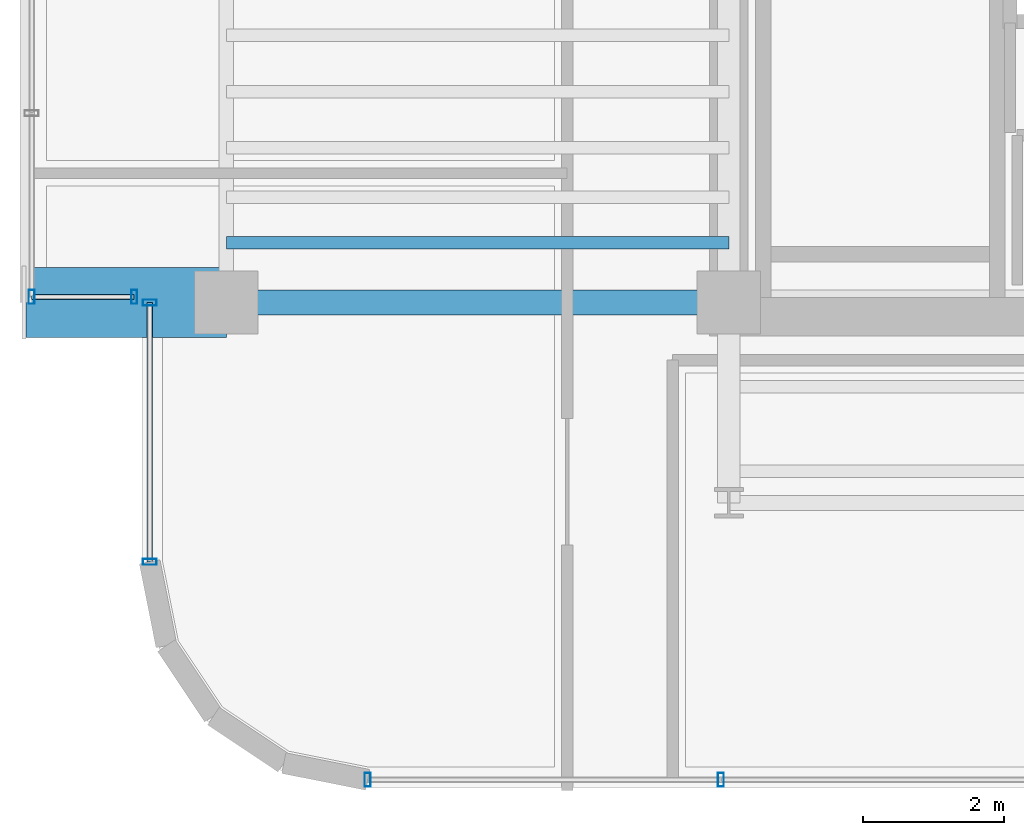
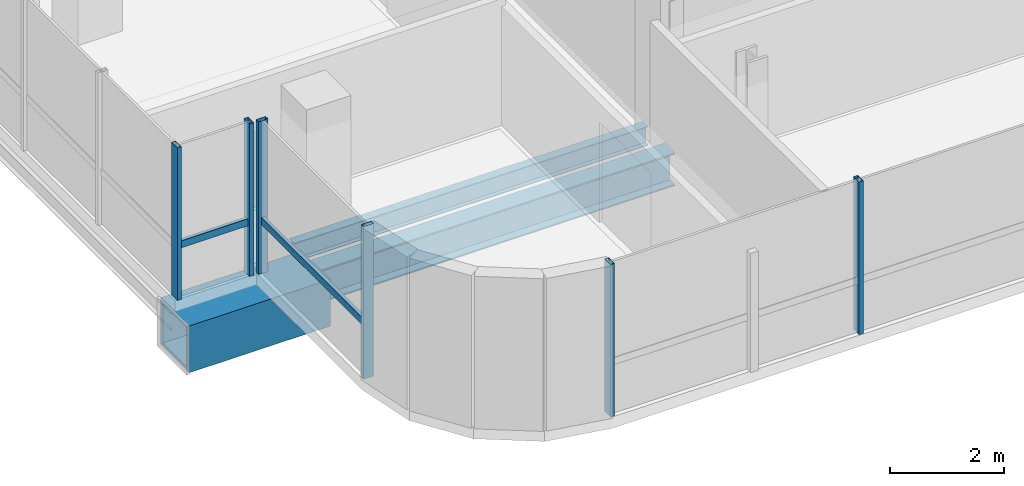
# One storey, part 2 of 22: 8 members, 3 beams, 3 elements without a shape of their own.
"""IFC4 building model written with IfcOpenShell, lengths in metres."""

from ifc_helpers import new_model, si_unit, direction, frame, origin, origin_2d, place, context, subcontext, project, spatial, hollow_rectangle, i_section, extrude, source, transform, mapped, material, material_profile, profile_set, type_object, element, aggregate, save


model = new_model("IFC4")

# Units and contexts
model_context = context("Model", 3, precision=1e-05, world=origin(), true_north=direction((0.0, 1.0)))
body_context = subcontext(model_context, "Body", "Model", "MODEL_VIEW")
ifc_project = project(units=[si_unit("LENGTHUNIT", "METRE"), si_unit("AREAUNIT", "SQUARE_METRE"), si_unit("VOLUMEUNIT", "CUBIC_METRE"), si_unit("PLANEANGLEUNIT", "RADIAN"), si_unit("MASSUNIT", "GRAM", prefix="KILO")], contexts=[model_context])

# Site, building, storey
site_placement = place(None, origin())
site = spatial("IfcSite", under=ifc_project, at=site_placement, CompositionType="ELEMENT")
building_placement = place(site_placement, origin())
building = spatial("IfcBuilding", under=site, at=building_placement, Name="Valdorenza Pilgrim Sanctuary Tower", CompositionType="ELEMENT")
storey_placement = place(building_placement, frame((0.0, 0.0, 233.5)))
storey = spatial("IfcBuildingStorey", under=building, at=storey_placement, Name="L60", CompositionType="ELEMENT", Elevation=233.5)

# Beams
ifc_material_1 = material(Name="Steel ASTM A572 Grade 42", Category="steel")
ifc_material_profile_1 = material_profile(ifc_material_1, hollow_rectangle(XDim=1.0, YDim=1.0, WallThickness=0.080078125, at=origin_2d()), Name="BOX 1000x1000x80")
ifc_profile_set_1 = profile_set([ifc_material_profile_1], Name="Steel ASTM A572 Grade 42")
beam_type_1 = type_object("IfcBeamType", Name="STR-BM-PROW-CANT", PredefinedType="BEAM", material=ifc_profile_set_1)
shared_shape_1 = source(origin(), body_context, "Body", "SweptSolid", [
    extrude(hollow_rectangle(XDim=1.0, YDim=1.0, WallThickness=0.080078125, at=origin_2d()), origin(), (0.0, 0.0, 1.0), 2.849853515625),
])
beam_1_placement = place(storey_placement, frame((-29.800048828125, -10.60009765625, -0.739990234375), z_axis=(-1.0, 0.0, 0.0), x_axis=(0.0, -1.0, 0.0)))
element("IfcBeam", 1, at=beam_1_placement, inside=storey, type_object=beam_type_1, Name="L60 Glass Box Cantilever Beam BOX-WA-L60-CT-S", PredefinedType="BEAM", context=body_context, shape_type="MappedRepresentation", body=[
    mapped(shared_shape_1, transform((0.0, 0.0, 0.0), x_axis=(1.0, 0.0, 0.0), y_axis=(0.0, 1.0, 0.0), z_axis=(0.0, 0.0, 1.0), scale=1.0)),
])
ifc_material_2 = material(Name="Steel ASTM A992 Grade 50", Category="steel")
ifc_material_profile_2 = material_profile(ifc_material_2, i_section(OverallWidth=0.35595703125, OverallDepth=0.700927734375, WebThickness=0.016845703125, FlangeThickness=0.02734375, at=origin_2d()), Name="W27X161")
ifc_profile_set_2 = profile_set([ifc_material_profile_2], Name="Steel ASTM A992 Grade 50")
beam_type_2 = type_object("IfcBeamType", Name="STR-BM-GRD-W27", PredefinedType="BEAM", material=ifc_profile_set_2)
shared_shape_2 = source(origin(), body_context, "Body", "SweptSolid", [
    extrude(i_section(OverallWidth=0.35595703125, OverallDepth=0.700927734375, WebThickness=0.016845703125, FlangeThickness=0.02734375, at=origin_2d()), origin(), (0.0, 0.0, 1.0), 7.150146484375),
])
beam_2_placement = place(storey_placement, frame((-29.800048828125, -10.60009765625, -0.590576171875), z_axis=(1.0, 0.0, 0.0), x_axis=(0.0, 1.0, 0.0)))
element("IfcBeam", 2, at=beam_2_placement, inside=storey, type_object=beam_type_2, Name="L60 Floor Girder WA-XW-S1", PredefinedType="BEAM", context=body_context, shape_type="MappedRepresentation", body=[
    mapped(shared_shape_2, transform((0.0, 0.0, 0.0), x_axis=(1.0, 0.0, 0.0), y_axis=(0.0, 1.0, 0.0), z_axis=(0.0, 0.0, 1.0), scale=1.0)),
])
ifc_material_profile_3 = material_profile(ifc_material_2, i_section(OverallWidth=0.177978515625, OverallDepth=0.406005859375, WebThickness=0.0078125, FlangeThickness=0.0126953125, at=origin_2d()), Name="W16X40")
ifc_profile_set_3 = profile_set([ifc_material_profile_3], Name="Steel ASTM A992 Grade 50")
beam_type_3 = type_object("IfcBeamType", Name="STR-BM-JST-W16", PredefinedType="JOIST", material=ifc_profile_set_3)
shared_shape_3 = source(origin(), body_context, "Body", "SweptSolid", [
    extrude(i_section(OverallWidth=0.177978515625, OverallDepth=0.406005859375, WebThickness=0.0078125, FlangeThickness=0.0126953125, at=origin_2d()), origin(), (0.0, 0.0, 1.0), 7.150146484375),
])
beam_3_placement = place(storey_placement, frame((-29.800048828125, -9.75, -0.443115234375), z_axis=(1.0, 0.0, 0.0), x_axis=(0.0, 1.0, 0.0)))
element("IfcBeam", 3, at=beam_3_placement, inside=storey, type_object=beam_type_3, Name="L60 Composite Floor Joist JST-WA-1", PredefinedType="JOIST", context=body_context, shape_type="MappedRepresentation", body=[
    mapped(shared_shape_3, transform((0.0, 0.0, 0.0), x_axis=(1.0, 0.0, 0.0), y_axis=(0.0, 1.0, 0.0), z_axis=(0.0, 0.0, 1.0), scale=1.0)),
])

# Curtain wall, member
ifc_material_3 = material(Name="Curtain-wall IGU glazing", Category="glass")
curtain_wall_type = type_object("IfcCurtainWallType", Name="CW-SYS-02", PredefinedType="NOTDEFINED", material=ifc_material_3)
curtain_wall_1_placement = place(storey_placement, origin())
curtain_wall_1 = element("IfcCurtainWall", 4, at=curtain_wall_1_placement, inside=storey, type_object=curtain_wall_type, Name="L60 Curtain Wall CW-L60-BOX-WA-L60-S", PredefinedType="NOTDEFINED")
ifc_material_4 = material(Name="Anodised aluminium AW-6060", Category="aluminium")
ifc_material_profile_4 = material_profile(ifc_material_4, hollow_rectangle(XDim=0.074951171875, YDim=0.14990234375, WallThickness=0.00390625, at=origin_2d()), Name="ALU-T 150x75x4")
ifc_profile_set_4 = profile_set([ifc_material_profile_4], Name="Anodised aluminium AW-6060")
member_type_1 = type_object("IfcMemberType", Name="CW-TRN-02", PredefinedType="USERDEFINED", material=ifc_profile_set_4)
shared_shape_4 = source(origin(), body_context, "Body", "SweptSolid", [
    extrude(hollow_rectangle(XDim=0.074951171875, YDim=0.14990234375, WallThickness=0.00390625, at=origin_2d()), origin(), (0.0, 0.0, 1.0), 1.4599609375),
])
member_1_placement = place(storey_placement, frame((-31.110107421875, -10.52001953125, 1.1201171875), z_axis=(-1.0, 0.0, 0.0), x_axis=(0.0, -1.0, 0.0)))
member_1 = element("IfcMember", 5, at=member_1_placement, type_object=member_type_1, Name="CW-L60-BOX-WA-L60-S Transom 1", ObjectType="TRANSOM", PredefinedType="USERDEFINED", context=body_context, shape_type="MappedRepresentation", body=[
    mapped(shared_shape_4, transform((0.0, 0.0, 0.0), x_axis=(1.0, 0.0, 0.0), y_axis=(0.0, 1.0, 0.0), z_axis=(0.0, 0.0, 1.0), scale=1.0)),
])

# Curtain wall, members
curtain_wall_2_placement = place(storey_placement, origin())
curtain_wall_2 = element("IfcCurtainWall", 6, at=curtain_wall_2_placement, inside=storey, type_object=curtain_wall_type, Name="L60 Curtain Wall CW-L60-1-1S1", PredefinedType="NOTDEFINED")
shared_shape_5 = source(origin(), body_context, "Body", "SweptSolid", [
    extrude(hollow_rectangle(XDim=0.074951171875, YDim=0.14990234375, WallThickness=0.00390625, at=origin_2d()), origin(), (0.0, 0.0, 1.0), 3.689208984375),
])
member_2_placement = place(storey_placement, frame((-30.889892578125, -14.289306640625, 1.1201171875), z_axis=(0.0, 1.0, 0.0), x_axis=(-1.0, 0.0, 0.0)))
member_2 = element("IfcMember", 7, at=member_2_placement, type_object=member_type_1, Name="CW-L60-1-1S1 Transom 1", ObjectType="TRANSOM", PredefinedType="USERDEFINED", context=body_context, shape_type="MappedRepresentation", body=[
    mapped(shared_shape_5, transform((0.0, 0.0, 0.0), x_axis=(1.0, 0.0, 0.0), y_axis=(0.0, 1.0, 0.0), z_axis=(0.0, 0.0, 1.0), scale=1.0)),
])
ifc_material_profile_5 = material_profile(ifc_material_4, hollow_rectangle(XDim=0.0849609375, YDim=0.199951171875, WallThickness=0.0048828125, at=origin_2d()), Name="ALU-M 200x85x5")
ifc_profile_set_5 = profile_set([ifc_material_profile_5], Name="Anodised aluminium AW-6060")
member_type_2 = type_object("IfcMemberType", Name="CW-MUL-02", PredefinedType="MULLION", material=ifc_profile_set_5)
shared_shape_6 = source(origin(), body_context, "Body", "SweptSolid", [
    extrude(hollow_rectangle(XDim=0.0849609375, YDim=0.199951171875, WallThickness=0.0048828125, at=origin_2d()), origin(), (0.0, 0.0, 1.0), 3.260009765625),
])
member_3_placement = place(storey_placement, frame((-30.889892578125, -14.289306640625, 0.0), z_axis=(0.0, 0.0, 1.0), x_axis=(0.0, 1.0, 0.0)))
member_3 = element("IfcMember", 8, at=member_3_placement, type_object=member_type_2, Name="CW-L60-1-1S1 Mullion 1", PredefinedType="MULLION", context=body_context, shape_type="MappedRepresentation", body=[
    mapped(shared_shape_6, transform((0.0, 0.0, 0.0), x_axis=(1.0, 0.0, 0.0), y_axis=(0.0, 1.0, 0.0), z_axis=(0.0, 0.0, 1.0), scale=1.0)),
])
member_4_placement = place(storey_placement, frame((-30.889892578125, -10.60009765625, 0.0), z_axis=(0.0, 0.0, 1.0), x_axis=(0.0, 1.0, 0.0)))
member_4 = element("IfcMember", 9, at=member_4_placement, type_object=member_type_2, Name="CW-L60-1-1S1 Mullion 2", PredefinedType="MULLION", context=body_context, shape_type="MappedRepresentation", body=[
    mapped(shared_shape_6, transform((0.0, 0.0, 0.0), x_axis=(1.0, 0.0, 0.0), y_axis=(0.0, 1.0, 0.0), z_axis=(0.0, 0.0, 1.0), scale=1.0)),
])
aggregate(curtain_wall_2, [member_3, member_4, member_2])

curtain_wall_3_placement = place(storey_placement, origin())
curtain_wall_3 = element("IfcCurtainWall", 10, at=curtain_wall_3_placement, inside=storey, type_object=curtain_wall_type, Name="L60 Curtain Wall CW-L60-1-26", PredefinedType="NOTDEFINED")
member_5_placement = place(storey_placement, frame((-22.76318359375, -17.389892578125, 0.0), z_axis=(0.0, 0.0, 1.0), x_axis=(-1.0, 0.0, 0.0)))
member_5 = element("IfcMember", 11, at=member_5_placement, type_object=member_type_2, Name="CW-L60-1-26 Mullion 3", PredefinedType="MULLION", context=body_context, shape_type="MappedRepresentation", body=[
    mapped(shared_shape_6, transform((0.0, 0.0, 0.0), x_axis=(1.0, 0.0, 0.0), y_axis=(0.0, 1.0, 0.0), z_axis=(0.0, 0.0, 1.0), scale=1.0)),
])
member_6_placement = place(storey_placement, frame((-27.789306640625, -17.389892578125, 0.0), z_axis=(0.0, 0.0, 1.0), x_axis=(-1.0, 0.0, 0.0)))
member_6 = element("IfcMember", 12, at=member_6_placement, type_object=member_type_2, Name="CW-L60-1-26 Mullion 4", PredefinedType="MULLION", context=body_context, shape_type="MappedRepresentation", body=[
    mapped(shared_shape_6, transform((0.0, 0.0, 0.0), x_axis=(1.0, 0.0, 0.0), y_axis=(0.0, 1.0, 0.0), z_axis=(0.0, 0.0, 1.0), scale=1.0)),
])
aggregate(curtain_wall_3, [member_5, member_6])

# Member
member_7_placement = place(storey_placement, frame((-31.110107421875, -10.52001953125, 0.0), z_axis=(0.0, 0.0, 1.0), x_axis=(-1.0, 0.0, 0.0)))
member_7 = element("IfcMember", 13, at=member_7_placement, type_object=member_type_2, Name="CW-L60-BOX-WA-L60-S Mullion 1", PredefinedType="MULLION", context=body_context, shape_type="MappedRepresentation", body=[
    mapped(shared_shape_6, transform((0.0, 0.0, 0.0), x_axis=(1.0, 0.0, 0.0), y_axis=(0.0, 1.0, 0.0), z_axis=(0.0, 0.0, 1.0), scale=1.0)),
])

member_8_placement = place(storey_placement, frame((-32.570068359375, -10.52001953125, 0.0), z_axis=(0.0, 0.0, 1.0), x_axis=(-1.0, 0.0, 0.0)))
member_8 = element("IfcMember", 14, at=member_8_placement, type_object=member_type_2, Name="CW-L60-BOX-WA-L60-S Mullion 2", PredefinedType="MULLION", context=body_context, shape_type="MappedRepresentation", body=[
    mapped(shared_shape_6, transform((0.0, 0.0, 0.0), x_axis=(1.0, 0.0, 0.0), y_axis=(0.0, 1.0, 0.0), z_axis=(0.0, 0.0, 1.0), scale=1.0)),
])

aggregate(curtain_wall_1, [member_7, member_8, member_1])

save(model, "model.ifc")
